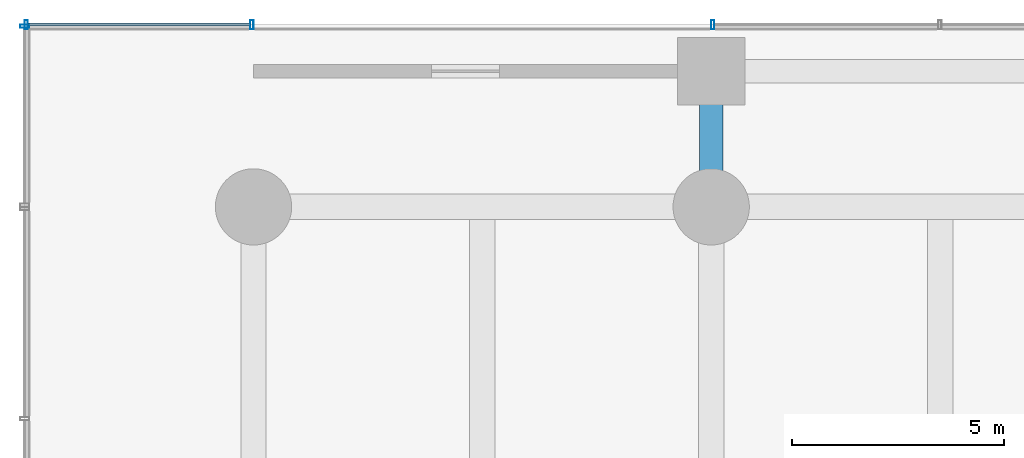
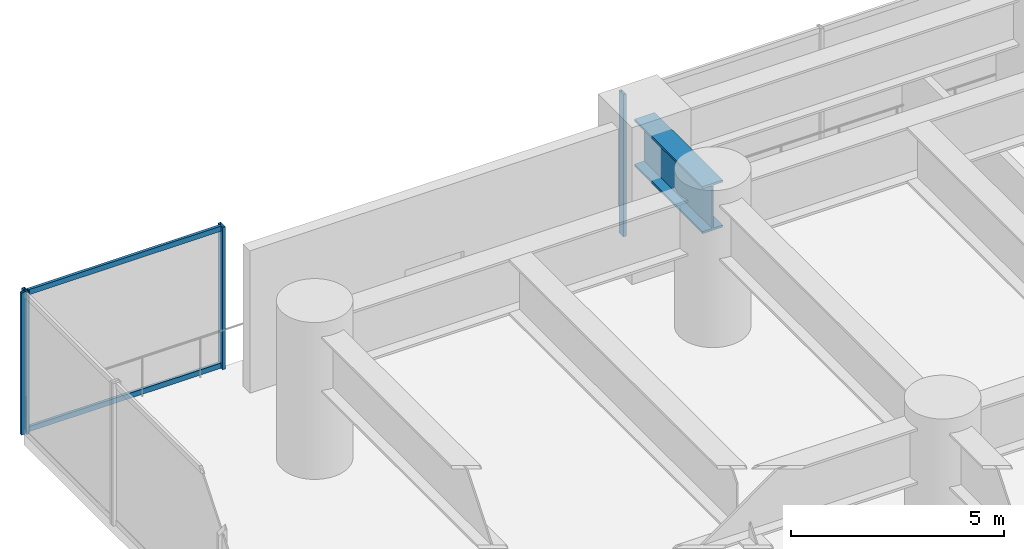
# One storey, part 14 of 37: 6 members, 1 beam, 3 elements without a shape of their own.
"""IFC4 building model written with IfcOpenShell, lengths in metres."""

from ifc_helpers import new_model, si_unit, direction, frame, origin, origin_2d, place, context, subcontext, project, spatial, hollow_rectangle, i_section, extrude, material, layer, layer_set, material_profile, profile_set, type_object, element, aggregate, save


model = new_model("IFC4")

# Units and contexts
model_context = context("Model", 3, precision=1e-05, world=origin(), true_north=direction((0.0, 1.0)))
body_context = subcontext(model_context, "Body", "Model", "MODEL_VIEW")
ifc_project = project(units=[si_unit("LENGTHUNIT", "METRE"), si_unit("AREAUNIT", "SQUARE_METRE"), si_unit("VOLUMEUNIT", "CUBIC_METRE"), si_unit("PLANEANGLEUNIT", "RADIAN"), si_unit("MASSUNIT", "GRAM", prefix="KILO")], contexts=[model_context])

# Site, building, storey
site_placement = place(None, origin())
site = spatial("IfcSite", under=ifc_project, at=site_placement, CompositionType="ELEMENT")
building_placement = place(site_placement, origin())
building = spatial("IfcBuilding", under=site, at=building_placement, Name="Surkhivell Harbour Commons", CompositionType="ELEMENT")
storey_placement = place(building_placement, frame((0.0, 0.0, 18.0)))
storey = spatial("IfcBuildingStorey", under=building, at=storey_placement, Name="L04", CompositionType="ELEMENT", Elevation=18.0)

# Beam
ifc_material_1 = material(Name="Steel S460", Category="steel")
ifc_material_profile_1 = material_profile(ifc_material_1, i_section(OverallWidth=0.550048828125, OverallDepth=1.35009765625, WebThickness=0.031982421875, FlangeThickness=0.06005859375, at=origin_2d()), Name="WPG1350x550x248")
ifc_profile_set_1 = profile_set([ifc_material_profile_1], Name="Steel S460")
beam_type = type_object("IfcBeamType", Name="BM-TRF-1350", PredefinedType="BEAM", material=ifc_profile_set_1)
beam_placement = place(storey_placement, frame((-21.60009765625, 21.60009765625, 3.405029296875), z_axis=(0.0, 1.0, 0.0), x_axis=(-1.0, 0.0, 0.0)))
element("IfcBeam", 1, at=beam_placement, inside=storey, type_object=beam_type, Name="L04 Transfer Girder (-21.6,21.6)", PredefinedType="BEAM", context=body_context, shape_type="SweptSolid", body=[
    extrude(i_section(OverallWidth=0.550048828125, OverallDepth=1.35009765625, WebThickness=0.031982421875, FlangeThickness=0.06005859375, at=origin_2d()), origin(), (0.0, 0.0, 1.0), 3.199951171875),
])

# Curtain wall, members
ifc_material_2 = material(Name="Anodised pale-metal aluminium and insulated glazing", Category="aluminium")
ifc_layer = layer(ifc_material_2, 0.239990234375)
ifc_layer_set = layer_set([ifc_layer], Name="Anodised pale-metal aluminium and insulated glazing")
curtain_wall_type = type_object("IfcCurtainWallType", Name="CW-SYS-POD", PredefinedType="NOTDEFINED", material=ifc_layer_set)
curtain_wall_1_placement = place(storey_placement, origin())
curtain_wall_1 = element("IfcCurtainWall", 2, at=curtain_wall_1_placement, inside=storey, type_object=curtain_wall_type, Name="L04 Curtain Wall CW-L04-N1", PredefinedType="NOTDEFINED")
ifc_material_3 = material(Name="Anodised pale-metal aluminium alloy 6063-T6", Category="aluminium")
ifc_material_profile_2 = material_profile(ifc_material_3, hollow_rectangle(XDim=0.074951171875, YDim=0.219970703125, WallThickness=0.00390625, at=origin_2d()), Name="ALU-MULL-75x220")
ifc_profile_set_2 = profile_set([ifc_material_profile_2], Name="Anodised pale-metal aluminium alloy 6063-T6")
member_type_1 = type_object("IfcMemberType", Name="CWM-220", PredefinedType="MULLION", material=ifc_profile_set_2)
member_1_placement = place(storey_placement, frame((-37.762451171875, 25.89990234375, 0.0), z_axis=(0.0, 0.0, 1.0), x_axis=(1.0, 0.0, 0.0)))
member_1 = element("IfcMember", 3, at=member_1_placement, type_object=member_type_1, Name="CW-POD mullion 1", PredefinedType="MULLION", context=body_context, shape_type="SweptSolid", body=[
    extrude(hollow_rectangle(XDim=0.074951171875, YDim=0.219970703125, WallThickness=0.00390625, at=origin_2d()), origin(), (0.0, 0.0, 1.0), 4.080078125),
])
member_2_placement = place(storey_placement, frame((-32.4375, 25.89990234375, 0.0), z_axis=(0.0, 0.0, 1.0), x_axis=(1.0, 0.0, 0.0)))
member_2 = element("IfcMember", 4, at=member_2_placement, type_object=member_type_1, Name="CW-POD mullion 2", PredefinedType="MULLION", context=body_context, shape_type="SweptSolid", body=[
    extrude(hollow_rectangle(XDim=0.074951171875, YDim=0.219970703125, WallThickness=0.00390625, at=origin_2d()), origin(), (0.0, 0.0, 1.0), 4.080078125),
])

# Curtain wall, member
curtain_wall_2_placement = place(storey_placement, origin())
curtain_wall_2 = element("IfcCurtainWall", 5, at=curtain_wall_2_placement, inside=storey, type_object=curtain_wall_type, Name="L04 Curtain Wall CW-L04-N3", PredefinedType="NOTDEFINED")
member_3_placement = place(storey_placement, frame((-21.5625, 25.89990234375, 0.0), z_axis=(0.0, 0.0, 1.0), x_axis=(1.0, 0.0, 0.0)))
member_3 = element("IfcMember", 6, at=member_3_placement, type_object=member_type_1, Name="CW-POD mullion 1", PredefinedType="MULLION", context=body_context, shape_type="SweptSolid", body=[
    extrude(hollow_rectangle(XDim=0.074951171875, YDim=0.219970703125, WallThickness=0.00390625, at=origin_2d()), origin(), (0.0, 0.0, 1.0), 4.080078125),
])
aggregate(curtain_wall_2, [member_3])

curtain_wall_3_placement = place(storey_placement, origin())
curtain_wall_3 = element("IfcCurtainWall", 7, at=curtain_wall_3_placement, inside=storey, type_object=curtain_wall_type, Name="L04 Curtain Wall CW-L04-W6", PredefinedType="NOTDEFINED")
member_4_placement = place(storey_placement, frame((-37.800048828125, 25.862548828125, 0.0), z_axis=(0.0, 0.0, 1.0), x_axis=(0.0, 1.0, 0.0)))
member_4 = element("IfcMember", 8, at=member_4_placement, type_object=member_type_1, Name="CW-POD mullion 2", PredefinedType="MULLION", context=body_context, shape_type="SweptSolid", body=[
    extrude(hollow_rectangle(XDim=0.074951171875, YDim=0.219970703125, WallThickness=0.00390625, at=origin_2d()), origin(), (0.0, 0.0, 1.0), 4.080078125),
])
aggregate(curtain_wall_3, [member_4])

# Member
ifc_material_profile_3 = material_profile(ifc_material_3, hollow_rectangle(XDim=0.074951171875, YDim=0.14990234375, WallThickness=0.00341796875, at=origin_2d()), Name="ALU-TRAN-75x150")
ifc_profile_set_3 = profile_set([ifc_material_profile_3], Name="Anodised pale-metal aluminium alloy 6063-T6")
member_type_2 = type_object("IfcMemberType", Name="CWT-150", PredefinedType="USERDEFINED", material=ifc_profile_set_3)
member_5_placement = place(storey_placement, frame((-37.72509765625, 25.89990234375, 0.074951171875), z_axis=(1.0, 0.0, 0.0), x_axis=(0.0, 1.0, 0.0)))
member_5 = element("IfcMember", 9, at=member_5_placement, type_object=member_type_2, Name="CW-POD transom 1.1", ObjectType="TRANSOM", PredefinedType="USERDEFINED", context=body_context, shape_type="SweptSolid", body=[
    extrude(hollow_rectangle(XDim=0.074951171875, YDim=0.14990234375, WallThickness=0.00341796875, at=origin_2d()), origin(), (0.0, 0.0, 1.0), 5.25),
])

member_6_placement = place(storey_placement, frame((-37.72509765625, 25.89990234375, 4.0048828125), z_axis=(1.0, 0.0, 0.0), x_axis=(0.0, 1.0, 0.0)))
member_6 = element("IfcMember", 10, at=member_6_placement, type_object=member_type_2, Name="CW-POD transom 1.2", ObjectType="TRANSOM", PredefinedType="USERDEFINED", context=body_context, shape_type="SweptSolid", body=[
    extrude(hollow_rectangle(XDim=0.074951171875, YDim=0.14990234375, WallThickness=0.00341796875, at=origin_2d()), origin(), (0.0, 0.0, 1.0), 5.25),
])

aggregate(curtain_wall_1, [member_1, member_2, member_5, member_6])

save(model, "model.ifc")
